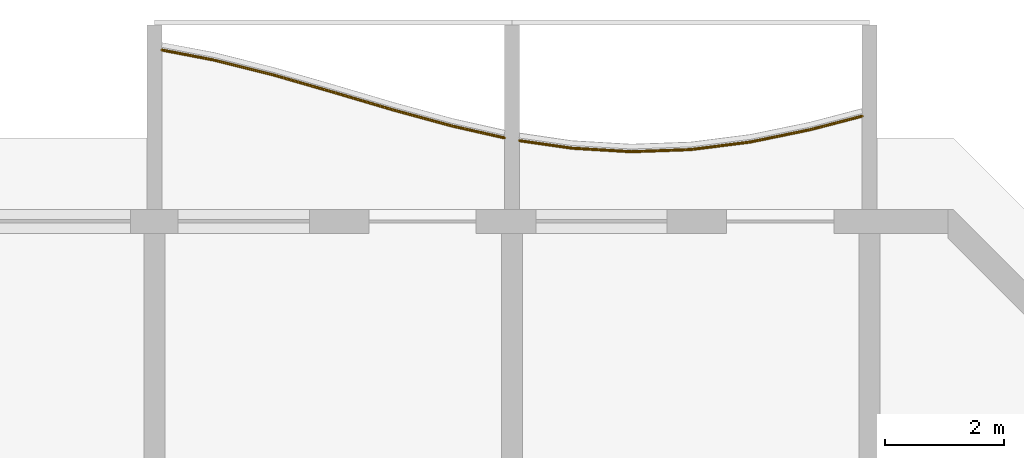
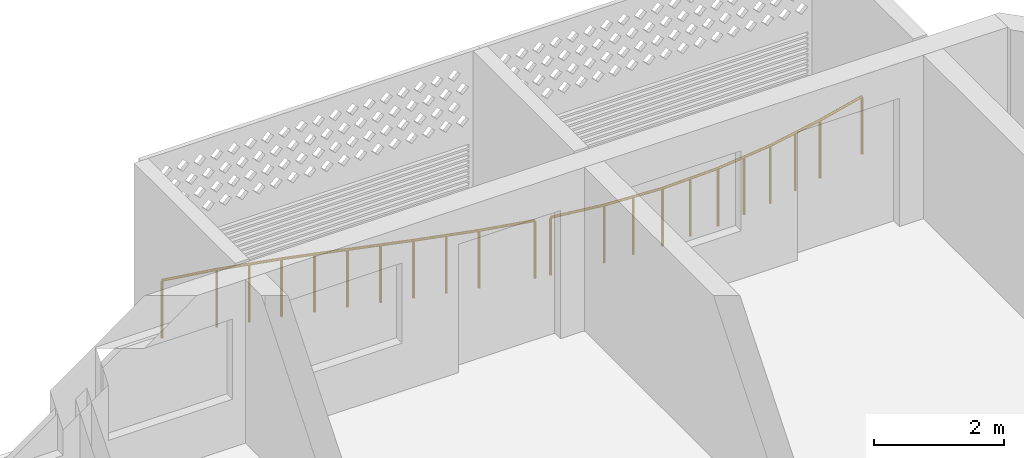
# One storey, part 27 of 28: 2 railings.
"""IFC4 building model written with IfcOpenShell, lengths in metres."""

from ifc_helpers import new_model, si_unit, direction, frame, origin, origin_2d, place, context, subcontext, project, spatial, circle, extrude, material, type_object, element, save


model = new_model("IFC4")

# Units and contexts
model_context = context("Model", 3, precision=1e-05, world=origin(), true_north=direction((0.0, 1.0)))
body_context = subcontext(model_context, "Body", "Model", "MODEL_VIEW")
ifc_project = project(units=[si_unit("LENGTHUNIT", "METRE"), si_unit("AREAUNIT", "SQUARE_METRE"), si_unit("VOLUMEUNIT", "CUBIC_METRE"), si_unit("PLANEANGLEUNIT", "RADIAN"), si_unit("MASSUNIT", "GRAM", prefix="KILO")], contexts=[model_context])

# Site, building, storey
site_placement = place(None, origin())
site = spatial("IfcSite", under=ifc_project, at=site_placement, CompositionType="ELEMENT")
building_placement = place(site_placement, origin())
building = spatial("IfcBuilding", under=site, at=building_placement, Name="Poui Terraces", CompositionType="ELEMENT")
storey_placement = place(building_placement, frame((0.0, 0.0, 72.89990234375)))
storey = spatial("IfcBuildingStorey", under=building, at=storey_placement, Name="L19", CompositionType="ELEMENT", Elevation=72.89990234375)

# Railings
ifc_material = material(Name="Painted steel fretwork", Category="steel")
railing_type = type_object("IfcRailingType", Name="BALCONY GUARD 1100", PredefinedType="GUARDRAIL", material=ifc_material)
railing_1_placement = place(storey_placement, frame((78.125, 46.476806640625, 0.0)))
element("IfcRailing", 1, at=railing_1_placement, inside=storey, type_object=railing_type, Name="BALCONY GUARD", PredefinedType="GUARDRAIL", context=body_context, shape_type="SweptSolid", body=[
    extrude(circle(Radius=0.02392578125, at=origin_2d()), frame((0.0, 0.0, 1.076171875), z_axis=(0.981967340867, -0.189050632031, 0.0), x_axis=(0.189050632031, 0.981967340867, 0.0)), (0.0, 0.0, 1.0), 0.89111328125),
    extrude(circle(Radius=0.02392578125, at=origin_2d()), frame((0.875, -0.16845703125, 1.076171875), z_axis=(0.969975109493, -0.243204208362, 0.0), x_axis=(0.243204208362, 0.969975109493, 0.0)), (0.0, 0.0, 1.0), 1.031005859375),
    extrude(circle(Radius=0.02392578125, at=origin_2d()), frame((1.875, -0.419189453125, 1.076171875), z_axis=(0.960857222001, -0.277044037887, 0.0), x_axis=(0.277044037887, 0.960857222001, 0.0)), (0.0, 0.0, 1.0), 1.040771484375),
    extrude(circle(Radius=0.02392578125, at=origin_2d()), frame((2.875, -0.70751953125, 1.076171875), z_axis=(0.958965639945, -0.283522312005, 0.0), x_axis=(0.283522312005, 0.958965639945, 0.0)), (0.0, 0.0, 1.0), 1.042724609375),
    extrude(circle(Radius=0.02392578125, at=origin_2d()), frame((3.875, -1.003173828125, 1.076171875), z_axis=(0.964709448785, -0.263316690367, 0.0), x_axis=(0.263316690367, 0.964709448785, 0.0)), (0.0, 0.0, 1.0), 1.03662109375),
    extrude(circle(Radius=0.02392578125, at=origin_2d()), frame((4.875, -1.276123046875, 1.076171875), z_axis=(0.975340938218, -0.220703543777, 0.0), x_axis=(0.220703543777, 0.975340938218, 0.0)), (0.0, 0.0, 1.0), 0.897216796875),
    extrude(circle(Radius=0.02099609375, at=origin_2d()), origin(), (0.0, 0.0, 1.0), 1.052001953125),
    extrude(circle(Radius=0.02099609375, at=origin_2d()), frame((0.875, -0.16845703125, 0.0)), (0.0, 0.0, 1.0), 1.052001953125),
    extrude(circle(Radius=0.02099609375, at=origin_2d()), frame((1.375, -0.2939453125, 0.0)), (0.0, 0.0, 1.0), 1.052001953125),
    extrude(circle(Radius=0.02099609375, at=origin_2d()), frame((1.875, -0.419189453125, 0.0)), (0.0, 0.0, 1.0), 1.052001953125),
    extrude(circle(Radius=0.02099609375, at=origin_2d()), frame((2.375, -0.5634765625, 0.0)), (0.0, 0.0, 1.0), 1.052001953125),
    extrude(circle(Radius=0.02099609375, at=origin_2d()), frame((2.875, -0.70751953125, 0.0)), (0.0, 0.0, 1.0), 1.052001953125),
    extrude(circle(Radius=0.02099609375, at=origin_2d()), frame((3.375, -0.85546875, 0.0)), (0.0, 0.0, 1.0), 1.052001953125),
    extrude(circle(Radius=0.02099609375, at=origin_2d()), frame((3.875, -1.003173828125, 0.0)), (0.0, 0.0, 1.0), 1.052001953125),
    extrude(circle(Radius=0.02099609375, at=origin_2d()), frame((4.375, -1.1396484375, 0.0)), (0.0, 0.0, 1.0), 1.052001953125),
    extrude(circle(Radius=0.02099609375, at=origin_2d()), frame((4.875, -1.276123046875, 0.0)), (0.0, 0.0, 1.0), 1.052001953125),
    extrude(circle(Radius=0.02099609375, at=origin_2d()), frame((5.75, -1.47412109375, 0.0)), (0.0, 0.0, 1.0), 1.052001953125),
])
railing_2_placement = place(storey_placement, frame((84.125, 44.95556640625, 0.0)))
element("IfcRailing", 2, at=railing_2_placement, inside=storey, type_object=railing_type, Name="BALCONY GUARD", PredefinedType="GUARDRAIL", context=body_context, shape_type="SweptSolid", body=[
    extrude(circle(Radius=0.02392578125, at=origin_2d()), frame((0.0, 0.0, 1.076171875), z_axis=(0.9898720119, -0.14196267135, 0.0), x_axis=(0.14196267135, 0.9898720119, 0.0)), (0.0, 0.0, 1.0), 0.884033203125),
    extrude(circle(Radius=0.02392578125, at=origin_2d()), frame((0.875, -0.12548828125, 1.076171875), z_axis=(0.998244834412, -0.05922204462, 0.0), x_axis=(0.05922204462, 0.998244834412, 0.0)), (0.0, 0.0, 1.0), 1.001708984375),
    extrude(circle(Radius=0.02392578125, at=origin_2d()), frame((1.875, -0.184814453125, 1.076171875), z_axis=(0.999365338401, 0.035621909035, 0.0), x_axis=(-0.035621909035, 0.999365338401, 0.0)), (0.0, 0.0, 1.0), 1.000732421875),
    extrude(circle(Radius=0.02392578125, at=origin_2d()), frame((2.875, -0.149169921875, 1.076171875), z_axis=(0.992007284566, 0.126180614077, 0.0), x_axis=(-0.126180614077, 0.992007284566, 0.0)), (0.0, 0.0, 1.0), 1.008056640625),
    extrude(circle(Radius=0.02392578125, at=origin_2d()), frame((3.875, -0.02197265625, 1.076171875), z_axis=(0.979470932223, 0.201585448209, 0.0), x_axis=(-0.201585448209, 0.979470932223, 0.0)), (0.0, 0.0, 1.0), 1.02099609375),
    extrude(circle(Radius=0.02392578125, at=origin_2d()), frame((4.875, 0.183837890625, 1.076171875), z_axis=(0.967811983713, 0.251674321657, 0.0), x_axis=(-0.251674321657, 0.967811983713, 0.0)), (0.0, 0.0, 1.0), 0.904052734375),
    extrude(circle(Radius=0.02099609375, at=origin_2d()), origin(), (0.0, 0.0, 1.0), 1.052001953125),
    extrude(circle(Radius=0.02099609375, at=origin_2d()), frame((0.875, -0.12548828125, 0.0)), (0.0, 0.0, 1.0), 1.052001953125),
    extrude(circle(Radius=0.02099609375, at=origin_2d()), frame((1.375, -0.1552734375, 0.0)), (0.0, 0.0, 1.0), 1.052001953125),
    extrude(circle(Radius=0.02099609375, at=origin_2d()), frame((1.875, -0.184814453125, 0.0)), (0.0, 0.0, 1.0), 1.052001953125),
    extrude(circle(Radius=0.02099609375, at=origin_2d()), frame((2.375, -0.1669921875, 0.0)), (0.0, 0.0, 1.0), 1.052001953125),
    extrude(circle(Radius=0.02099609375, at=origin_2d()), frame((2.875, -0.149169921875, 0.0)), (0.0, 0.0, 1.0), 1.052001953125),
    extrude(circle(Radius=0.02099609375, at=origin_2d()), frame((3.375, -0.08544921875, 0.0)), (0.0, 0.0, 1.0), 1.052001953125),
    extrude(circle(Radius=0.02099609375, at=origin_2d()), frame((3.875, -0.02197265625, 0.0)), (0.0, 0.0, 1.0), 1.052001953125),
    extrude(circle(Radius=0.02099609375, at=origin_2d()), frame((4.375, 0.0810546875, 0.0)), (0.0, 0.0, 1.0), 1.052001953125),
    extrude(circle(Radius=0.02099609375, at=origin_2d()), frame((4.875, 0.183837890625, 0.0)), (0.0, 0.0, 1.0), 1.052001953125),
    extrude(circle(Radius=0.02099609375, at=origin_2d()), frame((5.75, 0.411376953125, 0.0)), (0.0, 0.0, 1.0), 1.052001953125),
])

save(model, "model.ifc")
